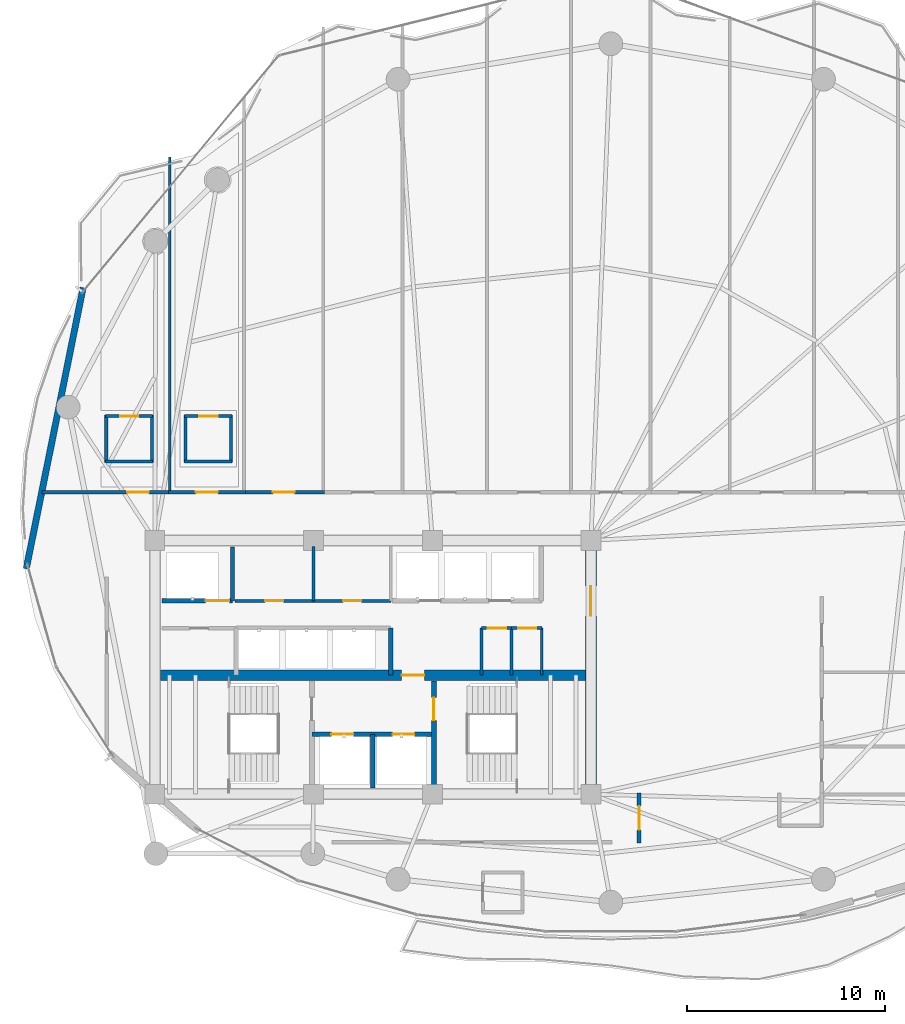
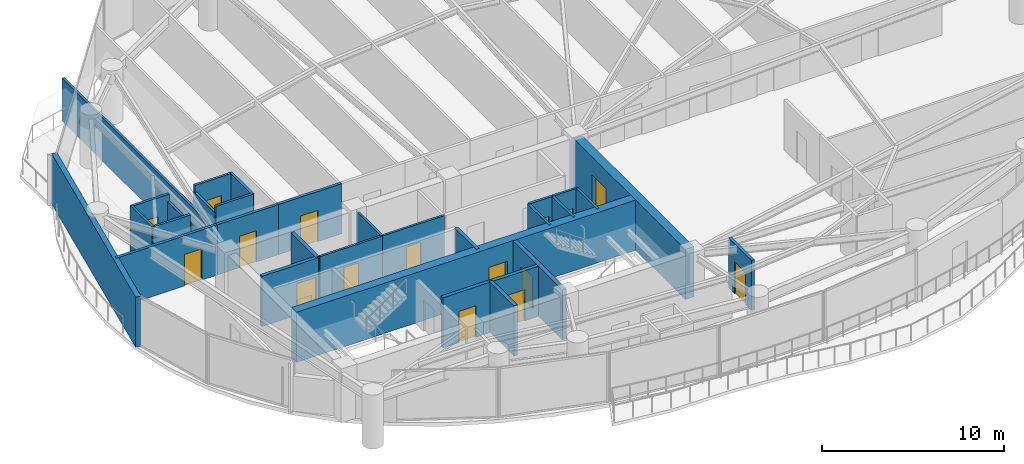
# One storey, part 23 of 28: 30 walls, 16 doors, 16 openings.
"""IFC4 building model written with IfcOpenShell, lengths in metres."""

import ifcopenshell
import ifcopenshell.guid

model = None  # the IFC model being written
_history = None  # IfcOwnerHistory: only IFC2X3 demands one
_inside = {}  # id of a spatial element -> (the spatial element, [elements in it])
_under = {}  # id of a project, library or spatial element -> (it, [spatial elements below it])
_declared = {}  # id of a project -> (the project, [libraries it declares])
_typed = {}  # id of a type object -> (the type object, [elements of that type])
_made_of = {}  # id of a material, layer set ... -> (it, [elements and type objects made of it])


def new_model(schema):
    """Start an empty IFC model of exactly this schema.

    Asked for "IFC4X3", IfcOpenShell would pick the latest addendum, in which some entities
    have other attributes; the version numbers below select the first issue.
    IFC2X3 requires an IfcOwnerHistory on every rooted entity: one is made here for all.
    """
    global model, _history
    if schema == "IFC4X3":
        model = ifcopenshell.file(schema_version=(4, 3, 0, 0))
    else:
        model = ifcopenshell.file(schema=schema)
    _inside.clear()
    _under.clear()
    _declared.clear()
    _typed.clear()
    _made_of.clear()
    _history = None
    if model.schema == "IFC2X3":
        org = make("IfcOrganization", Name="unknown")
        user = make(
            "IfcPersonAndOrganization",
            ThePerson=make("IfcPerson", FamilyName="unknown"),
            TheOrganization=org,
        )
        app = make(
            "IfcApplication",
            ApplicationDeveloper=org,
            Version="unknown",
            ApplicationFullName="unknown",
            ApplicationIdentifier="unknown",
        )
        _history = make(
            "IfcOwnerHistory",
            OwningUser=user,
            OwningApplication=app,
            ChangeAction="ADDED",
            CreationDate=0,
        )
    return model


def make(cls, **values):
    """One entity of the class cls with the attributes given. An attribute that is None is left unset."""
    return model.create_entity(
        cls, **{name: value for name, value in values.items() if value is not None}
    )


def rooted(cls, **values):
    """An entity with a GlobalId (a new one), such as an element, a storey or a relation."""
    return make(cls, GlobalId=ifcopenshell.guid.new(), OwnerHistory=_history, **values)


def si_unit(unit_type, name, prefix=None):
    """IfcSIUnit, for example si_unit("LENGTHUNIT", "METRE", prefix="MILLI")."""
    return make("IfcSIUnit", UnitType=unit_type, Prefix=prefix, Name=name)


def assignment(units):
    """IfcUnitAssignment: the units of a project."""
    return None if units is None else make("IfcUnitAssignment", Units=units)


def point(xyz):
    """IfcCartesianPoint."""
    return None if xyz is None else make("IfcCartesianPoint", Coordinates=xyz)


def direction(xyz):
    """IfcDirection."""
    return None if xyz is None else make("IfcDirection", DirectionRatios=xyz)


def frame(location, z_axis=None, x_axis=None):
    """IfcAxis2Placement3D, a coordinate frame: its origin and axes. An axis left out is left unset."""
    return make(
        "IfcAxis2Placement3D",
        Location=point(location),
        Axis=direction(z_axis),
        RefDirection=direction(x_axis),
    )


def frame_2d(location, x_axis=None):
    """IfcAxis2Placement2D, a coordinate frame in the plane: its origin and x axis."""
    return make(
        "IfcAxis2Placement2D", Location=point(location), RefDirection=direction(x_axis)
    )


def origin():
    """The frame at (0, 0, 0) with its axes left unset."""
    return frame((0.0, 0.0, 0.0))


def place(relative_to, where):
    """IfcLocalPlacement: puts the frame where relative to a parent placement (None: the world)."""
    return make(
        "IfcLocalPlacement", PlacementRelTo=relative_to, RelativePlacement=where
    )


def context(
    kind, dimensions, precision=None, world=None, true_north=None, identifier=None
):
    """IfcGeometricRepresentationContext, for example the 3D "Model" context."""
    return make(
        "IfcGeometricRepresentationContext",
        ContextIdentifier=identifier,
        ContextType=kind,
        CoordinateSpaceDimension=dimensions,
        Precision=precision,
        WorldCoordinateSystem=world,
        TrueNorth=true_north,
    )


def subcontext(parent, identifier, kind, view, scale=None):
    """IfcGeometricRepresentationSubContext, for example "Body" below "Model"."""
    return make(
        "IfcGeometricRepresentationSubContext",
        ContextIdentifier=identifier,
        ContextType=kind,
        ParentContext=parent,
        TargetScale=scale,
        TargetView=view,
    )


def project(units=None, contexts=None):
    """IfcProject with its units and contexts."""
    return rooted(
        "IfcProject",
        Name="project",
        RepresentationContexts=contexts,
        UnitsInContext=assignment(units),
    )


def spatial(cls, under=None, at=None, **own):
    """A site, building, storey or space (cls), placed at a placement, below another one or the project."""
    s = rooted(cls, ObjectPlacement=at, **own)
    if under is not None:
        _under.setdefault(under.id(), (under, []))[1].append(s)
    return s


def profile(cls, at=None, kind="AREA", **sizes):
    """A parametric profile (cls). Its sizes go by their IFC names, for example OverallWidth=200.0."""
    return make(cls, ProfileType=kind, Position=at, **sizes)


def rectangle(**sizes):
    """IfcRectangleProfileDef."""
    return profile("IfcRectangleProfileDef", **sizes)


def extrude(swept, where, along, depth):
    """IfcExtrudedAreaSolid: the profile swept, set in the frame where, extruded along a direction by depth."""
    return make(
        "IfcExtrudedAreaSolid",
        SweptArea=swept,
        Position=where,
        ExtrudedDirection=direction(along),
        Depth=depth,
    )


def shape(context_of_items, identifier, shape_type, items):
    """IfcShapeRepresentation: the items that make up one representation, for example the "Body"."""
    return make(
        "IfcShapeRepresentation",
        ContextOfItems=context_of_items,
        RepresentationIdentifier=identifier,
        RepresentationType=shape_type,
        Items=items,
    )


def material(Name=None, Category=None):
    """IfcMaterial."""
    return make("IfcMaterial", Name=Name, Category=Category)


def layer(
    of_material, thickness, ventilated=None, Name=None, Category=None, Priority=None
):
    """IfcMaterialLayer: one layer of a wall or slab, of a material (None: an air gap)."""
    return make(
        "IfcMaterialLayer",
        Material=of_material,
        LayerThickness=thickness,
        IsVentilated=ventilated,
        Name=Name,
        Category=Category,
        Priority=Priority,
    )


def layer_set(layers, Name=None):
    """IfcMaterialLayerSet."""
    return make("IfcMaterialLayerSet", MaterialLayers=layers, LayerSetName=Name)


def made_of(thing, what):
    """Note that an element or type object is made of a material, layer set ...; save() writes the relation."""
    if what is not None:
        _made_of.setdefault(what.id(), (what, []))[1].append(thing)
    return thing


def type_object(cls, material=None, **own):
    """A type object (cls), such as IfcWallType, which elements share."""
    return made_of(rooted(cls, **own), material)


def element(
    cls,
    number,
    at=None,
    inside=None,
    cuts=None,
    type_object=None,
    material=None,
    context=None,
    identifier="Body",
    shape_type=None,
    held_by="IfcProductDefinitionShape",
    body=None,
    shapes=None,
    **own,
):
    """One element of the class cls, such as IfcWall. Its Tag is "e" and its number.

    at: its placement. inside: the storey or other place that contains it. cuts: it is an
    opening in that element (IfcRelVoidsElement). A single representation is given by context,
    identifier, shape_type and body (its items); several are given by shapes. held_by: the class
    of the entity that holds the representations. save() writes the other relations.
    """
    e = rooted(cls, Tag="e%d" % number, ObjectPlacement=at, **own)
    if body is not None:
        shapes = [shape(context, identifier, shape_type, body)]
    if shapes is not None:
        e.Representation = make(held_by, Representations=shapes)
    if inside is not None:
        _inside.setdefault(inside.id(), (inside, []))[1].append(e)
    if cuts is not None:
        rooted(
            "IfcRelVoidsElement", RelatingBuildingElement=cuts, RelatedOpeningElement=e
        )
    if type_object is not None:
        _typed.setdefault(type_object.id(), (type_object, []))[1].append(e)
    return made_of(e, material)


def fill(opening, filler):
    """IfcRelFillsElement: the door or window that sits in an opening."""
    return rooted(
        "IfcRelFillsElement",
        RelatingOpeningElement=opening,
        RelatedBuildingElement=filler,
    )


def aggregate(whole, parts):
    """IfcRelAggregates: a whole, such as a stair, and the parts it consists of."""
    return rooted("IfcRelAggregates", RelatingObject=whole, RelatedObjects=parts)


def save(model, path):
    """Write the relations noted so far, then the file.

    IfcRelAggregates (storeys below a building ...), IfcRelContainedInSpatialStructure (elements
    in a storey), IfcRelDefinesByType, IfcRelAssociatesMaterial and IfcRelDeclares: one each for
    every whole, place, type object, material and project.
    """
    for whole, parts in _under.values():
        aggregate(whole, parts)
    for where, things in _inside.values():
        rooted(
            "IfcRelContainedInSpatialStructure",
            RelatedElements=things,
            RelatingStructure=where,
        )
    for kind, things in _typed.values():
        rooted("IfcRelDefinesByType", RelatedObjects=things, RelatingType=kind)
    for what, things in _made_of.values():
        rooted("IfcRelAssociatesMaterial", RelatedObjects=things, RelatingMaterial=what)
    for by, libraries in _declared.values():
        rooted("IfcRelDeclares", RelatingContext=by, RelatedDefinitions=libraries)
    model.write(path)


model = new_model("IFC4")

# Units and contexts
model_context = context("Model", 3, precision=1e-05, world=origin(), true_north=direction((0.0, 1.0)))
body_context = subcontext(model_context, "Body", "Model", "MODEL_VIEW")
ifc_project = project(units=[si_unit("LENGTHUNIT", "METRE"), si_unit("AREAUNIT", "SQUARE_METRE"), si_unit("VOLUMEUNIT", "CUBIC_METRE"), si_unit("PLANEANGLEUNIT", "RADIAN"), si_unit("MASSUNIT", "GRAM", prefix="KILO")], contexts=[model_context])

# Site, building, storey
site_placement = place(None, origin())
site = spatial("IfcSite", under=ifc_project, at=site_placement, CompositionType="ELEMENT")
building_placement = place(site_placement, origin())
building = spatial("IfcBuilding", under=site, at=building_placement, Name="Kazevale Care Tower and Concert Hall", CompositionType="ELEMENT")
storey_placement = place(building_placement, frame((0.0, 0.0, 142.199951171875)))
storey = spatial("IfcBuildingStorey", under=building, at=storey_placement, Name="L37", CompositionType="ELEMENT", Elevation=142.199951171875)

# Wall, opening, door
ifc_material_1 = material(Name="Acoustic Gypsum on Steel Stud", Category="steel")
ifc_layer_1 = layer(ifc_material_1, 0.139892578125)
ifc_layer_set_1 = layer_set([ifc_layer_1], Name="Acoustic Gypsum on Steel Stud")
wall_type_1 = type_object("IfcWallType", Name="Acoustic Care & Suite Partition 140", PredefinedType="PARTITIONING", material=ifc_layer_set_1)
wall_1_placement = place(storey_placement, frame((26.050048828125, 33.35009765625, 0.0), z_axis=(0.0, 0.0, 1.0), x_axis=(1.0, 0.0, 0.0)))
wall_1 = element("IfcWall", 1, at=wall_1_placement, inside=storey, type_object=wall_type_1, Name="wall:L37:c_rpl1_s", PredefinedType="PARTITIONING", context=body_context, shape_type="SweptSolid", body=[
    extrude(rectangle(XDim=3.949951171875, YDim=0.139892578125, at=frame_2d((1.97509765625, 0.0))), origin(), (0.0, 0.0, 1.0), 3.360107421875),
])
opening_1_placement = place(wall_1_placement, frame((1.514892578125, 0.0, 0.0)))
opening_1 = element("IfcOpeningElement", 2, at=opening_1_placement, cuts=wall_1, Name="Opening ID-900", PredefinedType="OPENING", context=body_context, shape_type="SweptSolid", body=[
    extrude(rectangle(XDim=0.919921875, YDim=2.10009765625, at=frame_2d((0.4599609375, 1.050048828125))), frame((0.0, 0.079833984375, 0.0), z_axis=(0.0, -1.0, 0.0), x_axis=(1.0, 0.0, 0.0)), (0.0, 0.0, 1.0), 0.159912109375),
])
ifc_material_2 = material(Name="Oak Timber Fire Leaf", Category="wood")
door_type_1 = type_object("IfcDoorType", Name="Bathroom & Service Door 920x2100", OperationType="NOTDEFINED", PredefinedType="DOOR", material=ifc_material_2)
door_1_placement = place(opening_1_placement, origin())
door_1 = element("IfcDoor", 3, at=door_1_placement, inside=storey, type_object=door_type_1, Name="door:L37:d_rpl1", OperationType="SINGLE_SWING_LEFT", OverallHeight=2.10009765625, OverallWidth=0.919921875, PredefinedType="DOOR", context=body_context, shape_type="SweptSolid", body=[
    extrude(rectangle(XDim=0.919921875, YDim=2.10009765625, at=frame_2d((0.4599609375, 1.050048828125))), frame((0.0, 0.02490234375, 0.0), z_axis=(0.0, -1.0, 0.0), x_axis=(1.0, 0.0, 0.0)), (0.0, 0.0, 1.0), 0.050048828125),
])
fill(opening_1, door_1)

wall_2_placement = place(storey_placement, frame((30.0, 33.35009765625, 0.0), z_axis=(0.0, 0.0, 1.0), x_axis=(1.0, 0.0, 0.0)))
wall_2 = element("IfcWall", 4, at=wall_2_placement, inside=storey, type_object=wall_type_1, Name="wall:L37:c_rpl2_s", PredefinedType="PARTITIONING", context=body_context, shape_type="SweptSolid", body=[
    extrude(rectangle(XDim=3.919921875, YDim=0.139892578125, at=frame_2d((1.9599609375, 0.0))), origin(), (0.0, 0.0, 1.0), 3.360107421875),
])
opening_2_placement = place(wall_2_placement, frame((1.5, 0.0, 0.0)))
opening_2 = element("IfcOpeningElement", 5, at=opening_2_placement, cuts=wall_2, Name="Opening ID-900", PredefinedType="OPENING", context=body_context, shape_type="SweptSolid", body=[
    extrude(rectangle(XDim=0.919921875, YDim=2.10009765625, at=frame_2d((0.4599609375, 1.050048828125))), frame((0.0, 0.079833984375, 0.0), z_axis=(0.0, -1.0, 0.0), x_axis=(1.0, 0.0, 0.0)), (0.0, 0.0, 1.0), 0.159912109375),
])
door_2_placement = place(opening_2_placement, origin())
door_2 = element("IfcDoor", 6, at=door_2_placement, inside=storey, type_object=door_type_1, Name="door:L37:d_rpl2", OperationType="SINGLE_SWING_RIGHT", OverallHeight=2.10009765625, OverallWidth=0.919921875, PredefinedType="DOOR", context=body_context, shape_type="SweptSolid", body=[
    extrude(rectangle(XDim=0.919921875, YDim=2.10009765625, at=frame_2d((0.4599609375, 1.050048828125))), frame((0.0, 0.02490234375, 0.0), z_axis=(0.0, -1.0, 0.0), x_axis=(1.0, 0.0, 0.0)), (0.0, 0.0, 1.0), 0.050048828125),
])
fill(opening_2, door_2)

# Walls
wall_3_placement = place(storey_placement, frame((30.0, 33.35009765625, 0.0), z_axis=(0.0, 0.0, 1.0), x_axis=(0.0, 1.0, 0.0)))
element("IfcWall", 7, at=wall_3_placement, inside=storey, type_object=wall_type_1, Name="wall:L37:c_rpl_m", PredefinedType="PARTITIONING", context=body_context, shape_type="SweptSolid", body=[
    extrude(rectangle(XDim=2.75, YDim=0.139892578125, at=frame_2d((1.375, 0.0))), origin(), (0.0, 0.0, 1.0), 3.360107421875),
])
wall_4_placement = place(storey_placement, frame((41.52001953125, 29.6201171875, 0.0), z_axis=(0.0, 0.0, 1.0), x_axis=(0.0, 1.0, 0.0)))
element("IfcWall", 8, at=wall_4_placement, inside=storey, type_object=wall_type_1, Name="wall:L37:ka_ee", PredefinedType="PARTITIONING", context=body_context, shape_type="SweptSolid", body=[
    extrude(rectangle(XDim=2.35986328125, YDim=0.139892578125, at=frame_2d((1.179931640625, 0.0))), origin(), (0.0, 0.0, 1.0), 3.360107421875),
])

# Wall, opening, door
wall_5_placement = place(storey_placement, frame((40.0, 31.97998046875, 0.0), z_axis=(0.0, 0.0, 1.0), x_axis=(1.0, 0.0, 0.0)))
wall_5 = element("IfcWall", 9, at=wall_5_placement, inside=storey, type_object=wall_type_1, Name="wall:L37:ka_en2", PredefinedType="PARTITIONING", context=body_context, shape_type="SweptSolid", body=[
    extrude(rectangle(XDim=1.52001953125, YDim=0.139892578125, at=frame_2d((0.760009765625, 0.0))), origin(), (0.0, 0.0, 1.0), 3.360107421875),
])
opening_3_placement = place(wall_5_placement, frame((0.320068359375, 0.0, 0.0)))
opening_3 = element("IfcOpeningElement", 10, at=opening_3_placement, cuts=wall_5, Name="Opening ID-900", PredefinedType="OPENING", context=body_context, shape_type="SweptSolid", body=[
    extrude(rectangle(XDim=0.919921875, YDim=2.10009765625, at=frame_2d((0.4599609375, 1.050048828125))), frame((0.0, 0.079833984375, 0.0), z_axis=(0.0, -1.0, 0.0), x_axis=(1.0, 0.0, 0.0)), (0.0, 0.0, 1.0), 0.159912109375),
])
door_3_placement = place(opening_3_placement, origin())
door_3 = element("IfcDoor", 11, at=door_3_placement, inside=storey, type_object=door_type_1, Name="door:L37:d_kae2", OperationType="SINGLE_SWING_RIGHT", OverallHeight=2.10009765625, OverallWidth=0.919921875, PredefinedType="DOOR", context=body_context, shape_type="SweptSolid", body=[
    extrude(rectangle(XDim=0.919921875, YDim=2.10009765625, at=frame_2d((0.4599609375, 1.050048828125))), frame((0.0, 0.02490234375, 0.0), z_axis=(0.0, -1.0, 0.0), x_axis=(1.0, 0.0, 0.0)), (0.0, 0.0, 1.0), 0.050048828125),
])
fill(opening_3, door_3)

# Wall
wall_6_placement = place(storey_placement, frame((22.75, 55.73388671875, 0.0), z_axis=(0.0, 0.0, 1.0), x_axis=(0.0, -1.0, 0.0)))
element("IfcWall", 12, at=wall_6_placement, inside=storey, type_object=wall_type_1, Name="wall:L37:auto_021", PredefinedType="PARTITIONING", context=body_context, shape_type="SweptSolid", body=[
    extrude(rectangle(XDim=16.93896484375, YDim=0.139892578125, at=frame_2d((8.469482421875, 0.0))), origin(), (0.0, 0.0, 1.0), 2.89013671875),
])

# Wall, opening, door
ifc_material_3 = material(Name="Concrete C60", Category="concrete")
ifc_layer_2 = layer(ifc_material_3, 0.550048828125)
ifc_layer_set_2 = layer_set([ifc_layer_2], Name="Concrete C60")
wall_type_2 = type_object("IfcWallType", Name="Core Shear Wall 550 C60", PredefinedType="SHEAR", material=ifc_layer_set_2)
wall_7_placement = place(storey_placement, frame((44.0, 23.875, 0.0), z_axis=(0.0, 0.0, 1.0), x_axis=(0.0, 1.0, 0.0)))
wall_7 = element("IfcWall", 13, at=wall_7_placement, inside=storey, type_object=wall_type_2, Name="wall:L37:core:E", PredefinedType="SHEAR", context=body_context, shape_type="SweptSolid", body=[
    extrude(rectangle(XDim=12.25, YDim=0.550048828125, at=frame_2d((6.125, 0.0))), origin(), (0.0, 0.0, 1.0), 3.360107421875),
])
opening_4_placement = place(wall_7_placement, frame((8.72509765625, 0.0, 0.0)))
opening_4 = element("IfcOpeningElement", 14, at=opening_4_placement, cuts=wall_7, Name="Opening FD-60D", PredefinedType="OPENING", context=body_context, shape_type="SweptSolid", body=[
    extrude(rectangle(XDim=1.5, YDim=2.14990234375, at=frame_2d((0.75, 1.074951171875))), frame((0.0, 0.284912109375, 0.0), z_axis=(0.0, -1.0, 0.0), x_axis=(1.0, 0.0, 0.0)), (0.0, 0.0, 1.0), 0.570068359375),
])
door_type_2 = type_object("IfcDoorType", Name="Double Lobby & Auditorium Fire Door 1500x2150", OperationType="NOTDEFINED", PredefinedType="DOOR", material=ifc_material_2)
door_4_placement = place(opening_4_placement, origin())
door_4 = element("IfcDoor", 15, at=door_4_placement, inside=storey, type_object=door_type_2, Name="door:L37:core_east_out", OperationType="DOUBLE_DOOR_SINGLE_SWING", OverallHeight=2.14990234375, OverallWidth=1.5, PredefinedType="DOOR", context=body_context, shape_type="SweptSolid", body=[
    extrude(rectangle(XDim=1.5, YDim=2.14990234375, at=frame_2d((0.75, 1.074951171875))), frame((0.0, 0.02490234375, 0.0), z_axis=(0.0, -1.0, 0.0), x_axis=(1.0, 0.0, 0.0)), (0.0, 0.0, 1.0), 0.050048828125),
])
fill(opening_4, door_4)

wall_8_placement = place(storey_placement, frame((22.27490234375, 29.60009765625, 0.0), z_axis=(0.0, 0.0, 1.0), x_axis=(1.0, 0.0, 0.0)))
wall_8 = element("IfcWall", 16, at=wall_8_placement, inside=storey, type_object=wall_type_2, Name="wall:L37:core:M", PredefinedType="SHEAR", context=body_context, shape_type="SweptSolid", body=[
    extrude(rectangle(XDim=21.4501953125, YDim=0.550048828125, at=frame_2d((10.72509765625, 0.0))), origin(), (0.0, 0.0, 1.0), 3.360107421875),
])
opening_5_placement = place(wall_8_placement, frame((12.175048828125, 0.0, 0.0)))
opening_5 = element("IfcOpeningElement", 17, at=opening_5_placement, cuts=wall_8, Name="Opening FD-90", PredefinedType="OPENING", context=body_context, shape_type="SweptSolid", body=[
    extrude(rectangle(XDim=1.14990234375, YDim=2.10009765625, at=frame_2d((0.574951171875, 1.050048828125))), frame((0.0, 0.284912109375, 0.0), z_axis=(0.0, -1.0, 0.0), x_axis=(1.0, 0.0, 0.0)), (0.0, 0.0, 1.0), 0.570068359375),
])
ifc_material_4 = material(Name="Steel ASTM A572 Gr 50", Category="steel")
door_type_3 = type_object("IfcDoorType", Name="Pressurized Stair & Lobby Fire Door 1150x2100", OperationType="NOTDEFINED", PredefinedType="DOOR", material=ifc_material_4)
door_5_placement = place(opening_5_placement, origin())
door_5 = element("IfcDoor", 18, at=door_5_placement, inside=storey, type_object=door_type_3, Name="door:L37:ff_to_pax", OperationType="SINGLE_SWING_LEFT", OverallHeight=2.10009765625, OverallWidth=1.14990234375, PredefinedType="DOOR", context=body_context, shape_type="SweptSolid", body=[
    extrude(rectangle(XDim=1.14990234375, YDim=2.10009765625, at=frame_2d((0.574951171875, 1.050048828125))), frame((0.0, 0.02490234375, 0.0), z_axis=(0.0, -1.0, 0.0), x_axis=(1.0, 0.0, 0.0)), (0.0, 0.0, 1.0), 0.050048828125),
])
fill(opening_5, door_5)

# Wall, openings, doors
ifc_material_5 = material(Name="Concrete C40", Category="concrete")
ifc_layer_3 = layer(ifc_material_5, 0.219970703125)
ifc_layer_set_3 = layer_set([ifc_layer_3], Name="Concrete C40")
wall_type_3 = type_object("IfcWallType", Name="Elevator Hoistway Shaft Wall 220", PredefinedType="SOLIDWALL", material=ifc_layer_set_3)
wall_9_placement = place(storey_placement, frame((29.919921875, 26.6201171875, 0.0), z_axis=(0.0, 0.0, 1.0), x_axis=(1.0, 0.0, 0.0)))
wall_9 = element("IfcWall", 19, at=wall_9_placement, inside=storey, type_object=wall_type_3, Name="wall:L37:c_ffl_n", PredefinedType="SOLIDWALL", context=body_context, shape_type="SweptSolid", body=[
    extrude(rectangle(XDim=6.16015625, YDim=0.219970703125, at=frame_2d((3.080078125, 0.0))), origin(), (0.0, 0.0, 1.0), 3.360107421875),
])
opening_6_placement = place(wall_9_placement, frame((0.989990234375, 0.0, 0.0)))
opening_6 = element("IfcOpeningElement", 20, at=opening_6_placement, cuts=wall_9, Name="Opening LD-FF", PredefinedType="OPENING", context=body_context, shape_type="SweptSolid", body=[
    extrude(rectangle(XDim=1.10009765625, YDim=2.10009765625, at=frame_2d((0.550048828125, 1.050048828125))), frame((0.0, 0.119873046875, 0.0), z_axis=(0.0, -1.0, 0.0), x_axis=(1.0, 0.0, 0.0)), (0.0, 0.0, 1.0), 0.239990234375),
])
opening_7_placement = place(wall_9_placement, frame((4.070068359375, 0.0, 0.0)))
opening_7 = element("IfcOpeningElement", 21, at=opening_7_placement, cuts=wall_9, Name="Opening LD-FF", PredefinedType="OPENING", context=body_context, shape_type="SweptSolid", body=[
    extrude(rectangle(XDim=1.10009765625, YDim=2.10009765625, at=frame_2d((0.550048828125, 1.050048828125))), frame((0.0, 0.119873046875, 0.0), z_axis=(0.0, -1.0, 0.0), x_axis=(1.0, 0.0, 0.0)), (0.0, 0.0, 1.0), 0.239990234375),
])
ifc_material_6 = material(Name="Stainless Steel 316", Category="steel")
door_type_4 = type_object("IfcDoorType", Name="Emergency Lift Sliding Landing Door 1100x2100", OperationType="NOTDEFINED", PredefinedType="DOOR", material=ifc_material_6)
door_6_placement = place(opening_6_placement, origin())
door_6 = element("IfcDoor", 22, at=door_6_placement, inside=storey, type_object=door_type_4, Name="door:L37:ld_ffl1", OperationType="SLIDING_TO_LEFT", OverallHeight=2.10009765625, OverallWidth=1.10009765625, PredefinedType="DOOR", context=body_context, shape_type="SweptSolid", body=[
    extrude(rectangle(XDim=1.10009765625, YDim=2.10009765625, at=frame_2d((0.550048828125, 1.050048828125))), frame((0.0, 0.02490234375, 0.0), z_axis=(0.0, -1.0, 0.0), x_axis=(1.0, 0.0, 0.0)), (0.0, 0.0, 1.0), 0.050048828125),
])
fill(opening_6, door_6)
door_7_placement = place(opening_7_placement, origin())
door_7 = element("IfcDoor", 23, at=door_7_placement, inside=storey, type_object=door_type_4, Name="door:L37:ld_ffl2", OperationType="SLIDING_TO_RIGHT", OverallHeight=2.10009765625, OverallWidth=1.10009765625, PredefinedType="DOOR", context=body_context, shape_type="SweptSolid", body=[
    extrude(rectangle(XDim=1.10009765625, YDim=2.10009765625, at=frame_2d((0.550048828125, 1.050048828125))), frame((0.0, 0.02490234375, 0.0), z_axis=(0.0, -1.0, 0.0), x_axis=(1.0, 0.0, 0.0)), (0.0, 0.0, 1.0), 0.050048828125),
])
fill(opening_7, door_7)

# Walls
wall_10_placement = place(storey_placement, frame((33.0, 23.89990234375, 0.0), z_axis=(0.0, 0.0, 1.0), x_axis=(0.0, 1.0, 0.0)))
element("IfcWall", 24, at=wall_10_placement, inside=storey, type_object=wall_type_3, Name="wall:L37:c_ffl_m", PredefinedType="SOLIDWALL", context=body_context, shape_type="SweptSolid", body=[
    extrude(rectangle(XDim=2.72021484375, YDim=0.219970703125, at=frame_2d((1.360107421875, 0.0))), origin(), (0.0, 0.0, 1.0), 3.360107421875),
])
wall_11_placement = place(storey_placement, frame((25.919921875, 33.35009765625, 0.0), z_axis=(0.0, 0.0, 1.0), x_axis=(0.0, 1.0, 0.0)))
element("IfcWall", 25, at=wall_11_placement, inside=storey, type_object=wall_type_3, Name="wall:L37:c_svl_e", PredefinedType="SOLIDWALL", context=body_context, shape_type="SweptSolid", body=[
    extrude(rectangle(XDim=2.72998046875, YDim=0.219970703125, at=frame_2d((1.364990234375, 0.0))), origin(), (0.0, 0.0, 1.0), 3.360107421875),
])

# Wall, opening, door
wall_12_placement = place(storey_placement, frame((22.35009765625, 33.35009765625, 0.0), z_axis=(0.0, 0.0, 1.0), x_axis=(1.0, 0.0, 0.0)))
wall_12 = element("IfcWall", 26, at=wall_12_placement, inside=storey, type_object=wall_type_3, Name="wall:L37:c_svl_s", PredefinedType="SOLIDWALL", context=body_context, shape_type="SweptSolid", body=[
    extrude(rectangle(XDim=3.56982421875, YDim=0.219970703125, at=frame_2d((1.784912109375, 0.0))), origin(), (0.0, 0.0, 1.0), 3.360107421875),
])
opening_8_placement = place(wall_12_placement, frame((2.212890625, 0.0, 0.0)))
opening_8 = element("IfcOpeningElement", 27, at=opening_8_placement, cuts=wall_12, Name="Opening LD-SV", PredefinedType="OPENING", context=body_context, shape_type="SweptSolid", body=[
    extrude(rectangle(XDim=1.199951171875, YDim=2.10009765625, at=frame_2d((0.60009765625, 1.050048828125))), frame((0.0, 0.119873046875, 0.0), z_axis=(0.0, -1.0, 0.0), x_axis=(1.0, 0.0, 0.0)), (0.0, 0.0, 1.0), 0.239990234375),
])
door_type_5 = type_object("IfcDoorType", Name="Service Lift Sliding Landing Door 1200x2100", OperationType="NOTDEFINED", PredefinedType="DOOR", material=ifc_material_6)
door_8_placement = place(opening_8_placement, origin())
door_8 = element("IfcDoor", 28, at=door_8_placement, inside=storey, type_object=door_type_5, Name="door:L37:ld_svl1", OperationType="SLIDING_TO_LEFT", OverallHeight=2.10009765625, OverallWidth=1.199951171875, PredefinedType="DOOR", context=body_context, shape_type="SweptSolid", body=[
    extrude(rectangle(XDim=1.199951171875, YDim=2.10009765625, at=frame_2d((0.60009765625, 1.050048828125))), frame((0.0, 0.02490234375, 0.0), z_axis=(0.0, -1.0, 0.0), x_axis=(1.0, 0.0, 0.0)), (0.0, 0.0, 1.0), 0.050048828125),
])
fill(opening_8, door_8)

# Wall
wall_13_placement = place(storey_placement, frame((33.89990234375, 29.6201171875, 0.0), z_axis=(0.0, 0.0, 1.0), x_axis=(0.0, 1.0, 0.0)))
element("IfcWall", 29, at=wall_13_placement, inside=storey, type_object=wall_type_3, Name="wall:L37:c_ph_e", PredefinedType="SOLIDWALL", context=body_context, shape_type="SweptSolid", body=[
    extrude(rectangle(XDim=2.35986328125, YDim=0.219970703125, at=frame_2d((1.179931640625, 0.0))), origin(), (0.0, 0.0, 1.0), 3.360107421875),
])

# Wall, opening, door
ifc_material_7 = material(Name="Concrete C40 and Acoustic Gypsum", Category="concrete")
ifc_layer_4 = layer(ifc_material_7, 0.179931640625)
ifc_layer_set_4 = layer_set([ifc_layer_4], Name="Concrete C40 and Acoustic Gypsum")
wall_type_4 = type_object("IfcWallType", Name="Fire-Rated Corridor & Party Wall 180", PredefinedType="PARTITIONING", material=ifc_layer_set_4)
wall_14_placement = place(storey_placement, frame((16.3046875, 38.824951171875, 0.0), z_axis=(0.0, 0.0, 1.0), x_axis=(1.0, 0.0, 0.0)))
wall_14 = element("IfcWall", 30, at=wall_14_placement, inside=storey, type_object=wall_type_4, Name="wall:L37:auto_001", PredefinedType="PARTITIONING", context=body_context, shape_type="SweptSolid", body=[
    extrude(rectangle(XDim=6.51025390625, YDim=0.179931640625, at=frame_2d((3.255126953125, 0.0))), origin(), (0.0, 0.0, 1.0), 3.360107421875),
])
opening_9_placement = place(wall_14_placement, frame((4.300048828125, 0.0, 0.0)))
opening_9 = element("IfcOpeningElement", 31, at=opening_9_placement, cuts=wall_14, Name="Opening ID-1100", PredefinedType="OPENING", context=body_context, shape_type="SweptSolid", body=[
    extrude(rectangle(XDim=1.10009765625, YDim=2.10009765625, at=frame_2d((0.550048828125, 1.050048828125))), frame((0.0, 0.099853515625, 0.0), z_axis=(0.0, -1.0, 0.0), x_axis=(1.0, 0.0, 0.0)), (0.0, 0.0, 1.0), 0.199951171875),
])
door_type_6 = type_object("IfcDoorType", Name="Care Bedroom Accessible Door 1100x2100", OperationType="NOTDEFINED", PredefinedType="DOOR", material=ifc_material_2)
door_9_placement = place(opening_9_placement, origin())
door_9 = element("IfcDoor", 32, at=door_9_placement, inside=storey, type_object=door_type_6, Name="door:L37:ad_001", OperationType="SINGLE_SWING_LEFT", OverallHeight=2.10009765625, OverallWidth=1.10009765625, PredefinedType="DOOR", context=body_context, shape_type="SweptSolid", body=[
    extrude(rectangle(XDim=1.10009765625, YDim=2.10009765625, at=frame_2d((0.550048828125, 1.050048828125))), frame((0.0, 0.02490234375, 0.0), z_axis=(0.0, -1.0, 0.0), x_axis=(1.0, 0.0, 0.0)), (0.0, 0.0, 1.0), 0.050048828125),
])
fill(opening_9, door_9)

wall_15_placement = place(storey_placement, frame((22.68505859375, 38.824951171875, 0.0), z_axis=(0.0, 0.0, 1.0), x_axis=(1.0, 0.0, 0.0)))
wall_15 = element("IfcWall", 33, at=wall_15_placement, inside=storey, type_object=wall_type_4, Name="wall:L37:auto_002", PredefinedType="PARTITIONING", context=body_context, shape_type="SweptSolid", body=[
    extrude(rectangle(XDim=3.8798828125, YDim=0.179931640625, at=frame_2d((1.93994140625, 0.0))), origin(), (0.0, 0.0, 1.0), 3.360107421875),
])
opening_10_placement = place(wall_15_placement, frame((1.389892578125, 0.0, 0.0)))
opening_10 = element("IfcOpeningElement", 34, at=opening_10_placement, cuts=wall_15, Name="Opening ID-1100", PredefinedType="OPENING", context=body_context, shape_type="SweptSolid", body=[
    extrude(rectangle(XDim=1.10009765625, YDim=2.10009765625, at=frame_2d((0.550048828125, 1.050048828125))), frame((0.0, 0.099853515625, 0.0), z_axis=(0.0, -1.0, 0.0), x_axis=(1.0, 0.0, 0.0)), (0.0, 0.0, 1.0), 0.199951171875),
])
door_10_placement = place(opening_10_placement, origin())
door_10 = element("IfcDoor", 35, at=door_10_placement, inside=storey, type_object=door_type_6, Name="door:L37:ad_002", OperationType="SINGLE_SWING_LEFT", OverallHeight=2.10009765625, OverallWidth=1.10009765625, PredefinedType="DOOR", context=body_context, shape_type="SweptSolid", body=[
    extrude(rectangle(XDim=1.10009765625, YDim=2.10009765625, at=frame_2d((0.550048828125, 1.050048828125))), frame((0.0, 0.02490234375, 0.0), z_axis=(0.0, -1.0, 0.0), x_axis=(1.0, 0.0, 0.0)), (0.0, 0.0, 1.0), 0.050048828125),
])
fill(opening_10, door_10)

wall_16_placement = place(storey_placement, frame((26.43505859375, 38.824951171875, 0.0), z_axis=(0.0, 0.0, 1.0), x_axis=(1.0, 0.0, 0.0)))
wall_16 = element("IfcWall", 36, at=wall_16_placement, inside=storey, type_object=wall_type_4, Name="wall:L37:auto_003", PredefinedType="PARTITIONING", context=body_context, shape_type="SweptSolid", body=[
    extrude(rectangle(XDim=4.1298828125, YDim=0.179931640625, at=frame_2d((2.06494140625, 0.0))), origin(), (0.0, 0.0, 1.0), 3.360107421875),
])
opening_11_placement = place(wall_16_placement, frame((1.514892578125, 0.0, 0.0)))
opening_11 = element("IfcOpeningElement", 37, at=opening_11_placement, cuts=wall_16, Name="Opening ID-1100", PredefinedType="OPENING", context=body_context, shape_type="SweptSolid", body=[
    extrude(rectangle(XDim=1.10009765625, YDim=2.10009765625, at=frame_2d((0.550048828125, 1.050048828125))), frame((0.0, 0.099853515625, 0.0), z_axis=(0.0, -1.0, 0.0), x_axis=(1.0, 0.0, 0.0)), (0.0, 0.0, 1.0), 0.199951171875),
])
door_11_placement = place(opening_11_placement, origin())
door_11 = element("IfcDoor", 38, at=door_11_placement, inside=storey, type_object=door_type_6, Name="door:L37:ad_003", OperationType="SINGLE_SWING_LEFT", OverallHeight=2.10009765625, OverallWidth=1.10009765625, PredefinedType="DOOR", context=body_context, shape_type="SweptSolid", body=[
    extrude(rectangle(XDim=1.10009765625, YDim=2.10009765625, at=frame_2d((0.550048828125, 1.050048828125))), frame((0.0, 0.02490234375, 0.0), z_axis=(0.0, -1.0, 0.0), x_axis=(1.0, 0.0, 0.0)), (0.0, 0.0, 1.0), 0.050048828125),
])
fill(opening_11, door_11)

wall_17_placement = place(storey_placement, frame((46.425048828125, 23.655029296875, 0.0), z_axis=(0.0, 0.0, 1.0), x_axis=(0.0, -1.0, 0.0)))
wall_17 = element("IfcWall", 39, at=wall_17_placement, inside=storey, type_object=wall_type_4, Name="wall:L37:auto_012", PredefinedType="PARTITIONING", context=body_context, shape_type="SweptSolid", body=[
    extrude(rectangle(XDim=2.510009765625, YDim=0.179931640625, at=frame_2d((1.2548828125, 0.0))), origin(), (0.0, 0.0, 1.0), 3.360107421875),
])
opening_12_placement = place(wall_17_placement, frame((0.655029296875, 0.0, 0.0)))
opening_12 = element("IfcOpeningElement", 40, at=opening_12_placement, cuts=wall_17, Name="Opening ID-1200", PredefinedType="OPENING", context=body_context, shape_type="SweptSolid", body=[
    extrude(rectangle(XDim=1.199951171875, YDim=2.14990234375, at=frame_2d((0.60009765625, 1.074951171875))), frame((0.0, 0.099853515625, 0.0), z_axis=(0.0, -1.0, 0.0), x_axis=(1.0, 0.0, 0.0)), (0.0, 0.0, 1.0), 0.199951171875),
])
door_type_7 = type_object("IfcDoorType", Name="Clinical & Therapy Door 1200x2150", OperationType="NOTDEFINED", PredefinedType="DOOR", material=ifc_material_2)
door_12_placement = place(opening_12_placement, origin())
door_12 = element("IfcDoor", 41, at=door_12_placement, inside=storey, type_object=door_type_7, Name="door:L37:ad_012", OperationType="SINGLE_SWING_LEFT", OverallHeight=2.14990234375, OverallWidth=1.199951171875, PredefinedType="DOOR", context=body_context, shape_type="SweptSolid", body=[
    extrude(rectangle(XDim=1.199951171875, YDim=2.14990234375, at=frame_2d((0.60009765625, 1.074951171875))), frame((0.0, 0.02490234375, 0.0), z_axis=(0.0, -1.0, 0.0), x_axis=(1.0, 0.0, 0.0)), (0.0, 0.0, 1.0), 0.050048828125),
])
fill(opening_12, door_12)

# Walls
ifc_layer_5 = layer(ifc_material_1, 0.159912109375)
ifc_layer_set_5 = layer_set([ifc_layer_5], Name="Acoustic Gypsum on Steel Stud")
wall_type_5 = type_object("IfcWallType", Name="Moisture-Resistant Bathroom Plumbing Wall 160", PredefinedType="PLUMBINGWALL", material=ifc_layer_set_5)
for number, where, z_axis, x_axis, name in (
    (42, (38.47998046875, 29.6201171875, 0.0), (0.0, 0.0, 1.0), (0.0, 1.0, 0.0), "wall:L37:ka_ew"),
    (43, (40.0, 29.6201171875, 0.0), (0.0, 0.0, 1.0), (0.0, 1.0, 0.0), "wall:L37:ka_em"),
):
    element("IfcWall", number, at=place(storey_placement, frame(where, z_axis=z_axis, x_axis=x_axis)), inside=storey, type_object=wall_type_5, Name=name, PredefinedType="PLUMBINGWALL", context=body_context, shape_type="SweptSolid", body=[
        extrude(rectangle(XDim=2.35986328125, YDim=0.159912109375, at=frame_2d((1.179931640625, 0.0))), origin(), (0.0, 0.0, 1.0), 3.360107421875),
    ])

# Wall, opening, door
wall_18_placement = place(storey_placement, frame((38.47998046875, 31.97998046875, 0.0), z_axis=(0.0, 0.0, 1.0), x_axis=(1.0, 0.0, 0.0)))
wall_18 = element("IfcWall", 44, at=wall_18_placement, inside=storey, type_object=wall_type_5, Name="wall:L37:ka_en1", PredefinedType="PLUMBINGWALL", context=body_context, shape_type="SweptSolid", body=[
    extrude(rectangle(XDim=1.52001953125, YDim=0.159912109375, at=frame_2d((0.760009765625, 0.0))), origin(), (0.0, 0.0, 1.0), 3.360107421875),
])
opening_13_placement = place(wall_18_placement, frame((0.320068359375, 0.0, 0.0)))
opening_13 = element("IfcOpeningElement", 45, at=opening_13_placement, cuts=wall_18, Name="Opening ID-900", PredefinedType="OPENING", context=body_context, shape_type="SweptSolid", body=[
    extrude(rectangle(XDim=0.919921875, YDim=2.10009765625, at=frame_2d((0.4599609375, 1.050048828125))), frame((0.0, 0.08984375, 0.0), z_axis=(0.0, -1.0, 0.0), x_axis=(1.0, 0.0, 0.0)), (0.0, 0.0, 1.0), 0.179931640625),
])
door_13_placement = place(opening_13_placement, origin())
door_13 = element("IfcDoor", 46, at=door_13_placement, inside=storey, type_object=door_type_1, Name="door:L37:d_kae1", OperationType="SINGLE_SWING_LEFT", OverallHeight=2.10009765625, OverallWidth=0.919921875, PredefinedType="DOOR", context=body_context, shape_type="SweptSolid", body=[
    extrude(rectangle(XDim=0.919921875, YDim=2.10009765625, at=frame_2d((0.4599609375, 1.050048828125))), frame((0.0, 0.02490234375, 0.0), z_axis=(0.0, -1.0, 0.0), x_axis=(1.0, 0.0, 0.0)), (0.0, 0.0, 1.0), 0.050048828125),
])
fill(opening_13, door_13)

# Wall
wall_19_placement = place(storey_placement, frame((19.510009765625, 40.375, 0.0), z_axis=(0.0, 0.0, 1.0), x_axis=(1.0, 0.0, 0.0)))
element("IfcWall", 47, at=wall_19_placement, inside=storey, type_object=wall_type_5, Name="wall:L37:nb2a_ens_ws", PredefinedType="PLUMBINGWALL", context=body_context, shape_type="SweptSolid", body=[
    extrude(rectangle(XDim=2.3798828125, YDim=0.159912109375, at=frame_2d((1.18994140625, 0.0))), origin(), (0.0, 0.0, 1.0), 3.360107421875),
])

# Wall, opening, door
wall_20_placement = place(storey_placement, frame((19.510009765625, 42.675048828125, 0.0), z_axis=(0.0, 0.0, 1.0), x_axis=(1.0, 0.0, 0.0)))
wall_20 = element("IfcWall", 48, at=wall_20_placement, inside=storey, type_object=wall_type_5, Name="wall:L37:nb2a_ens_wn", PredefinedType="PLUMBINGWALL", context=body_context, shape_type="SweptSolid", body=[
    extrude(rectangle(XDim=2.3798828125, YDim=0.159912109375, at=frame_2d((1.18994140625, 0.0))), origin(), (0.0, 0.0, 1.0), 3.360107421875),
])
opening_14_placement = place(wall_20_placement, frame((0.739990234375, 0.0, 0.0)))
opening_14 = element("IfcOpeningElement", 49, at=opening_14_placement, cuts=wall_20, Name="Opening ID-900", PredefinedType="OPENING", context=body_context, shape_type="SweptSolid", body=[
    extrude(rectangle(XDim=0.919921875, YDim=2.10009765625, at=frame_2d((0.4599609375, 1.050048828125))), frame((0.0, 0.08984375, 0.0), z_axis=(0.0, -1.0, 0.0), x_axis=(1.0, 0.0, 0.0)), (0.0, 0.0, 1.0), 0.179931640625),
])
door_14_placement = place(opening_14_placement, origin())
door_14 = element("IfcDoor", 50, at=door_14_placement, inside=storey, type_object=door_type_1, Name="door:L37:nb2a_ens_d", OperationType="SINGLE_SWING_LEFT", OverallHeight=2.10009765625, OverallWidth=0.919921875, PredefinedType="DOOR", context=body_context, shape_type="SweptSolid", body=[
    extrude(rectangle(XDim=0.919921875, YDim=2.10009765625, at=frame_2d((0.4599609375, 1.050048828125))), frame((0.0, 0.02490234375, 0.0), z_axis=(0.0, -1.0, 0.0), x_axis=(1.0, 0.0, 0.0)), (0.0, 0.0, 1.0), 0.050048828125),
])
fill(opening_14, door_14)

# Walls
wall_21_placement = place(storey_placement, frame((19.550048828125, 40.3349609375, 0.0), z_axis=(0.0, 0.0, 1.0), x_axis=(0.0, 1.0, 0.0)))
element("IfcWall", 51, at=wall_21_placement, inside=storey, type_object=wall_type_5, Name="wall:L37:nb2a_ens_ww", PredefinedType="PLUMBINGWALL", context=body_context, shape_type="SweptSolid", body=[
    extrude(rectangle(XDim=2.380126953125, YDim=0.159912109375, at=frame_2d((1.18994140625, 0.0))), origin(), (0.0, 0.0, 1.0), 3.360107421875),
])
wall_22_placement = place(storey_placement, frame((21.85009765625, 40.3349609375, 0.0), z_axis=(0.0, 0.0, 1.0), x_axis=(0.0, 1.0, 0.0)))
element("IfcWall", 52, at=wall_22_placement, inside=storey, type_object=wall_type_5, Name="wall:L37:nb2a_ens_we", PredefinedType="PLUMBINGWALL", context=body_context, shape_type="SweptSolid", body=[
    extrude(rectangle(XDim=2.380126953125, YDim=0.159912109375, at=frame_2d((1.18994140625, 0.0))), origin(), (0.0, 0.0, 1.0), 2.89013671875),
])
wall_23_placement = place(storey_placement, frame((23.510009765625, 40.375, 0.0), z_axis=(0.0, 0.0, 1.0), x_axis=(1.0, 0.0, 0.0)))
element("IfcWall", 53, at=wall_23_placement, inside=storey, type_object=wall_type_5, Name="wall:L37:nb2b_ens_ws", PredefinedType="PLUMBINGWALL", context=body_context, shape_type="SweptSolid", body=[
    extrude(rectangle(XDim=2.3798828125, YDim=0.159912109375, at=frame_2d((1.18994140625, 0.0))), origin(), (0.0, 0.0, 1.0), 3.360107421875),
])

# Wall, opening, door
wall_24_placement = place(storey_placement, frame((23.510009765625, 42.675048828125, 0.0), z_axis=(0.0, 0.0, 1.0), x_axis=(1.0, 0.0, 0.0)))
wall_24 = element("IfcWall", 54, at=wall_24_placement, inside=storey, type_object=wall_type_5, Name="wall:L37:nb2b_ens_wn", PredefinedType="PLUMBINGWALL", context=body_context, shape_type="SweptSolid", body=[
    extrude(rectangle(XDim=2.3798828125, YDim=0.159912109375, at=frame_2d((1.18994140625, 0.0))), origin(), (0.0, 0.0, 1.0), 3.360107421875),
])
opening_15_placement = place(wall_24_placement, frame((0.739990234375, 0.0, 0.0)))
opening_15 = element("IfcOpeningElement", 55, at=opening_15_placement, cuts=wall_24, Name="Opening ID-900", PredefinedType="OPENING", context=body_context, shape_type="SweptSolid", body=[
    extrude(rectangle(XDim=0.919921875, YDim=2.10009765625, at=frame_2d((0.4599609375, 1.050048828125))), frame((0.0, 0.08984375, 0.0), z_axis=(0.0, -1.0, 0.0), x_axis=(1.0, 0.0, 0.0)), (0.0, 0.0, 1.0), 0.179931640625),
])
door_15_placement = place(opening_15_placement, origin())
door_15 = element("IfcDoor", 56, at=door_15_placement, inside=storey, type_object=door_type_1, Name="door:L37:nb2b_ens_d", OperationType="SINGLE_SWING_RIGHT", OverallHeight=2.10009765625, OverallWidth=0.919921875, PredefinedType="DOOR", context=body_context, shape_type="SweptSolid", body=[
    extrude(rectangle(XDim=0.919921875, YDim=2.10009765625, at=frame_2d((0.4599609375, 1.050048828125))), frame((0.0, 0.02490234375, 0.0), z_axis=(0.0, -1.0, 0.0), x_axis=(1.0, 0.0, 0.0)), (0.0, 0.0, 1.0), 0.050048828125),
])
fill(opening_15, door_15)

# Walls
wall_25_placement = place(storey_placement, frame((23.550048828125, 40.3349609375, 0.0), z_axis=(0.0, 0.0, 1.0), x_axis=(0.0, 1.0, 0.0)))
element("IfcWall", 57, at=wall_25_placement, inside=storey, type_object=wall_type_5, Name="wall:L37:nb2b_ens_ww", PredefinedType="PLUMBINGWALL", context=body_context, shape_type="SweptSolid", body=[
    extrude(rectangle(XDim=2.380126953125, YDim=0.159912109375, at=frame_2d((1.18994140625, 0.0))), origin(), (0.0, 0.0, 1.0), 2.89013671875),
])
wall_26_placement = place(storey_placement, frame((25.85009765625, 40.3349609375, 0.0), z_axis=(0.0, 0.0, 1.0), x_axis=(0.0, 1.0, 0.0)))
element("IfcWall", 58, at=wall_26_placement, inside=storey, type_object=wall_type_5, Name="wall:L37:nb2b_ens_we", PredefinedType="PLUMBINGWALL", context=body_context, shape_type="SweptSolid", body=[
    extrude(rectangle(XDim=2.380126953125, YDim=0.159912109375, at=frame_2d((1.18994140625, 0.0))), origin(), (0.0, 0.0, 1.0), 3.360107421875),
])

# Wall, opening, door
ifc_layer_6 = layer(ifc_material_5, 0.25)
ifc_layer_set_6 = layer_set([ifc_layer_6], Name="Concrete C40")
wall_type_6 = type_object("IfcWallType", Name="Pressurized Stair Shaft Wall 250", PredefinedType="SOLIDWALL", material=ifc_layer_set_6)
wall_27_placement = place(storey_placement, frame((36.080078125, 23.89990234375, 0.0), z_axis=(0.0, 0.0, 1.0), x_axis=(0.0, 1.0, 0.0)))
wall_27 = element("IfcWall", 59, at=wall_27_placement, inside=storey, type_object=wall_type_6, Name="wall:L37:c_st2_w", PredefinedType="SOLIDWALL", context=body_context, shape_type="SweptSolid", body=[
    extrude(rectangle(XDim=5.400146484375, YDim=0.25, at=frame_2d((2.7001953125, 0.0))), origin(), (0.0, 0.0, 1.0), 3.360107421875),
])
opening_16_placement = place(wall_27_placement, frame((3.4208984375, 0.0, 0.0)))
opening_16 = element("IfcOpeningElement", 60, at=opening_16_placement, cuts=wall_27, Name="Opening FD-90", PredefinedType="OPENING", context=body_context, shape_type="SweptSolid", body=[
    extrude(rectangle(XDim=1.14990234375, YDim=2.10009765625, at=frame_2d((0.574951171875, 1.050048828125))), frame((0.0, 0.135009765625, 0.0), z_axis=(0.0, -1.0, 0.0), x_axis=(1.0, 0.0, 0.0)), (0.0, 0.0, 1.0), 0.27001953125),
])
door_16_placement = place(opening_16_placement, origin())
door_16 = element("IfcDoor", 61, at=door_16_placement, inside=storey, type_object=door_type_3, Name="door:L37:st2", OperationType="SINGLE_SWING_LEFT", OverallHeight=2.10009765625, OverallWidth=1.14990234375, PredefinedType="DOOR", context=body_context, shape_type="SweptSolid", body=[
    extrude(rectangle(XDim=1.14990234375, YDim=2.10009765625, at=frame_2d((0.574951171875, 1.050048828125))), frame((0.0, 0.02490234375, 0.0), z_axis=(0.0, -1.0, 0.0), x_axis=(1.0, 0.0, 0.0)), (0.0, 0.0, 1.0), 0.050048828125),
])
fill(opening_16, door_16)

# Wall
ifc_material_8 = material(Name="Concrete C40 with Honed Limestone Cladding", Category="masonry")
ifc_layer_7 = layer(ifc_material_8, 0.320068359375)
ifc_layer_set_7 = layer_set([ifc_layer_7], Name="Concrete C40 with Honed Limestone Cladding")
wall_type_7 = type_object("IfcWallType", Name="Tower Honed Limestone Spandrel Wall 320", PredefinedType="STANDARD", material=ifc_layer_set_7)
wall_28_placement = place(storey_placement, frame((15.513916015625, 34.967041015625, 0.0), z_axis=(0.0, 0.0, 1.0), x_axis=(0.198370893133, 0.980127026848, 0.0)))
element("IfcWall", 62, at=wall_28_placement, inside=storey, type_object=wall_type_7, Name="wall:cw:L37:f13", PredefinedType="STANDARD", context=body_context, shape_type="SweptSolid", body=[
    extrude(rectangle(XDim=14.468505859375, YDim=0.320068359375, at=frame_2d((7.234375, 0.0))), origin(), (0.0, 0.0, 1.0), 3.360107421875),
])

save(model, "model.ifc")
